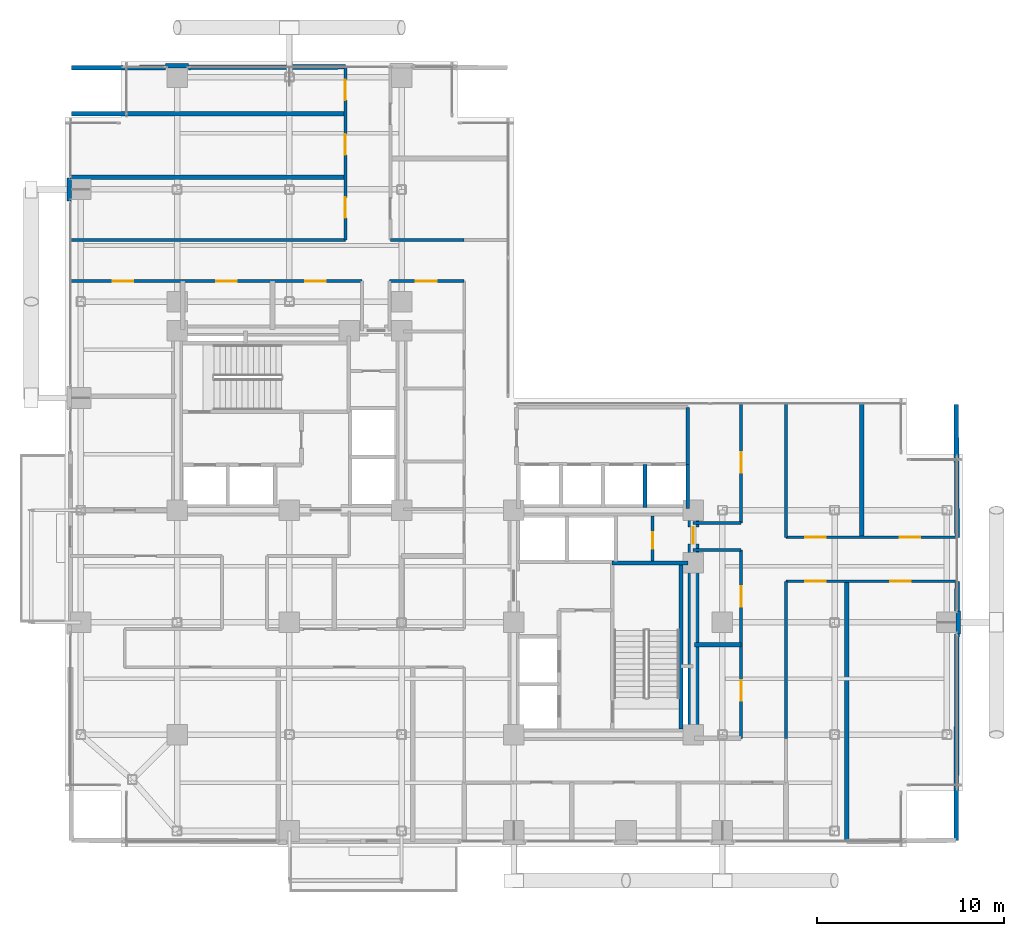
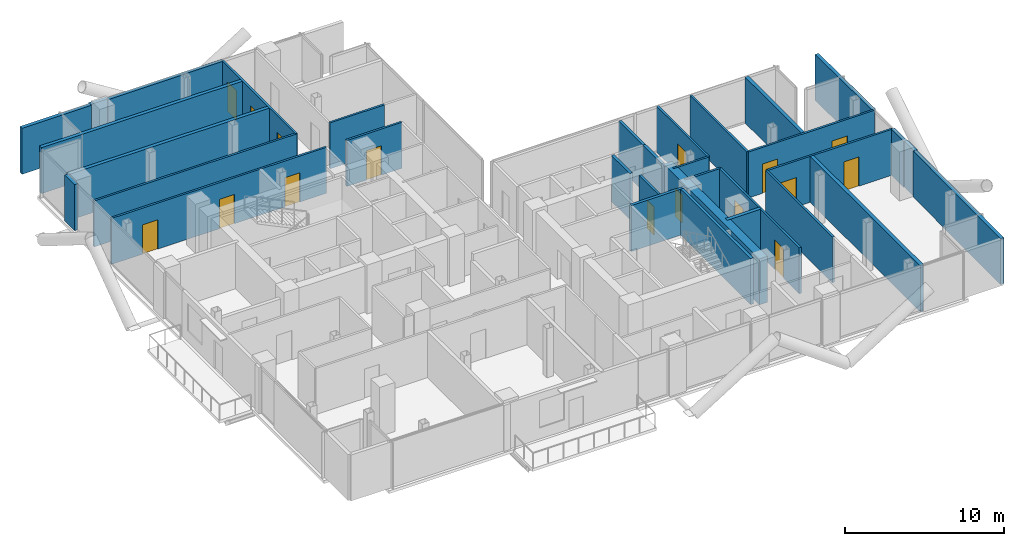
# One storey, part 21 of 24: 33 walls, 16 doors, 16 openings.
"""IFC4 building model written with IfcOpenShell, lengths in metres."""

from ifc_helpers import new_model, si_unit, direction, frame, frame_2d, origin, place, context, subcontext, project, spatial, rectangle, extrude, material, layer, layer_set, type_object, element, fill, save


model = new_model("IFC4")

# Units and contexts
model_context = context("Model", 3, precision=1e-05, world=origin(), true_north=direction((0.0, 1.0)))
body_context = subcontext(model_context, "Body", "Model", "MODEL_VIEW")
ifc_project = project(units=[si_unit("LENGTHUNIT", "METRE"), si_unit("AREAUNIT", "SQUARE_METRE"), si_unit("VOLUMEUNIT", "CUBIC_METRE"), si_unit("PLANEANGLEUNIT", "RADIAN"), si_unit("MASSUNIT", "GRAM", prefix="KILO"), si_unit("THERMODYNAMICTEMPERATUREUNIT", "KELVIN"), si_unit("POWERUNIT", "WATT")], contexts=[model_context])

# Site, building, storey
site_placement = place(None, origin())
site = spatial("IfcSite", under=ifc_project, at=site_placement, CompositionType="ELEMENT")
building_placement = place(site_placement, origin())
building = spatial("IfcBuilding", under=site, at=building_placement, Name="Svarakhadi Broadcast Tower", CompositionType="ELEMENT")
storey_placement = place(building_placement, frame((0.0, 0.0, 130.64990234375)))
storey = spatial("IfcBuildingStorey", under=building, at=storey_placement, Name="L31", CompositionType="ELEMENT", Elevation=130.64990234375)

# Walls
ifc_material_1 = material(Name="Double-Stud Acoustic Studio Partition STC-62", Category="gypsum")
ifc_layer_1 = layer(ifc_material_1, 0.25)
ifc_layer_set_1 = layer_set([ifc_layer_1], Name="Double-Stud Acoustic Studio Partition STC-62")
wall_type_1 = type_object("IfcWallType", Name="Wall_Acoust_250", PredefinedType="PARTITIONING", material=ifc_layer_set_1)
wall_1_placement = place(storey_placement, frame((33.64990234375, 10.800048828125, 0.0), z_axis=(0.0, 0.0, 1.0), x_axis=(1.0, 0.0, 0.0)))
element("IfcWall", 1, at=wall_1_placement, inside=storey, type_object=wall_type_1, Name="L31 Media Playout Monitoring Office Wall", PredefinedType="PARTITIONING", context=body_context, shape_type="SweptSolid", body=[
    extrude(rectangle(XDim=2.5, YDim=0.25, at=frame_2d((1.25, 0.0))), origin(), (0.0, 0.0, 1.0), 3.525146484375),
])
wall_2_placement = place(storey_placement, frame((41.800048828125, 0.300048828125, 0.0), z_axis=(0.0, 0.0, 1.0), x_axis=(0.0, 1.0, 0.0)))
element("IfcWall", 2, at=wall_2_placement, inside=storey, type_object=wall_type_1, Name="L31 Press Junket Interview Room Wall", PredefinedType="PARTITIONING", context=body_context, shape_type="SweptSolid", body=[
    extrude(rectangle(XDim=13.89990234375, YDim=0.25, at=frame_2d((6.949951171875, 0.0))), origin(), (0.0, 0.0, 1.0), 3.525146484375),
])
wall_3_placement = place(storey_placement, frame((47.64990234375, 0.35009765625, 0.0), z_axis=(0.0, 0.0, 1.0), x_axis=(0.003606251025, 0.999993497456, 0.0)))
element("IfcWall", 3, at=wall_3_placement, inside=storey, type_object=wall_type_1, Name="L31 Publicity Lounge Wall", PredefinedType="PARTITIONING", context=body_context, shape_type="SweptSolid", body=[
    extrude(rectangle(XDim=11.034912109375, YDim=0.25, at=frame_2d((5.517578125, 0.0))), origin(), (0.0, 0.0, 1.0), 3.525146484375),
])
wall_4_placement = place(storey_placement, frame((47.6943359375, 12.614990234375, 0.0), z_axis=(0.0, 0.0, 1.0), x_axis=(0.003542799701, 0.999993724265, 0.0)))
element("IfcWall", 4, at=wall_4_placement, inside=storey, type_object=wall_type_1, Name="L31 Publicity Lounge Wall", PredefinedType="PARTITIONING", context=body_context, shape_type="SweptSolid", body=[
    extrude(rectangle(XDim=1.5849609375, YDim=0.25, at=frame_2d((0.79248046875, 0.0))), origin(), (0.0, 0.0, 1.0), 3.525146484375),
])
wall_5_placement = place(storey_placement, frame((42.60009765625, 16.550048828125, 0.0), z_axis=(0.0, 0.0, 1.0), x_axis=(0.0, 1.0, 0.0)))
element("IfcWall", 5, at=wall_5_placement, inside=storey, type_object=wall_type_1, Name="L31 Broadcast Graphics Room Wall", PredefinedType="PARTITIONING", context=body_context, shape_type="SweptSolid", body=[
    extrude(rectangle(XDim=7.14990234375, YDim=0.25, at=frame_2d((3.574951171875, 0.0))), origin(), (0.0, 0.0, 1.0), 3.525146484375),
])
wall_6_placement = place(storey_placement, frame((47.699951171875, 16.550048828125, 0.0), z_axis=(0.0, 0.0, 1.0), x_axis=(-0.007049101019, 0.999975154779, 0.0)))
element("IfcWall", 6, at=wall_6_placement, inside=storey, type_object=wall_type_1, Name="L31 Graphics Workstation Office Wall", PredefinedType="PARTITIONING", context=body_context, shape_type="SweptSolid", body=[
    extrude(rectangle(XDim=7.10009765625, YDim=0.25, at=frame_2d((3.550048828125, 0.0))), origin(), (0.0, 0.0, 1.0), 3.525146484375),
])
wall_7_placement = place(storey_placement, frame((0.300048828125, 35.800048828125, 0.0), z_axis=(0.0, 0.0, 1.0), x_axis=(1.0, 0.0, 0.0)))
element("IfcWall", 7, at=wall_7_placement, inside=storey, type_object=wall_type_1, Name="L31 Distribution Deal Boardroom Wall", PredefinedType="PARTITIONING", context=body_context, shape_type="SweptSolid", body=[
    extrude(rectangle(XDim=14.699951171875, YDim=0.25, at=frame_2d((7.35009765625, 0.0))), origin(), (0.0, 0.0, 1.0), 3.525146484375),
])
wall_8_placement = place(storey_placement, frame((0.35009765625, 39.199951171875, 0.0), z_axis=(0.0, 0.0, 1.0), x_axis=(1.0, 0.0, 0.0)))
element("IfcWall", 8, at=wall_8_placement, inside=storey, type_object=wall_type_1, Name="L31 Festival Selection Room Wall", PredefinedType="PARTITIONING", context=body_context, shape_type="SweptSolid", body=[
    extrude(rectangle(XDim=14.64990234375, YDim=0.25, at=frame_2d((7.324951171875, 0.0))), origin(), (0.0, 0.0, 1.0), 3.525146484375),
])
wall_9_placement = place(storey_placement, frame((0.35009765625, 41.64990234375, 0.0), z_axis=(0.0, 0.0, 1.0), x_axis=(0.999994073761, 0.003442737683, 0.0)))
element("IfcWall", 9, at=wall_9_placement, inside=storey, type_object=wall_type_1, Name="L31 Publicist Office Wall", PredefinedType="PARTITIONING", context=body_context, shape_type="SweptSolid", body=[
    extrude(rectangle(XDim=5.034912109375, YDim=0.25, at=frame_2d((2.517578125, 0.0))), origin(), (0.0, 0.0, 1.0), 3.525146484375),
])
wall_10_placement = place(storey_placement, frame((6.614990234375, 41.67138671875, 0.0), z_axis=(0.0, 0.0, 1.0), x_axis=(0.999994197557, 0.003406589638, 0.0)))
element("IfcWall", 10, at=wall_10_placement, inside=storey, type_object=wall_type_1, Name="L31 Publicist Office Wall", PredefinedType="PARTITIONING", context=body_context, shape_type="SweptSolid", body=[
    extrude(rectangle(XDim=8.385009765625, YDim=0.25, at=frame_2d((4.1923828125, 0.0))), origin(), (0.0, 0.0, 1.0), 3.525146484375),
])
ifc_material_2 = material(Name="Concrete C40/50 (IS 456 M50)", Category="concrete")
ifc_layer_2 = layer(ifc_material_2, 0.239990234375)
ifc_layer_set_2 = layer_set([ifc_layer_2], Name="Concrete C40/50 (IS 456 M50)")
wall_type_2 = type_object("IfcWallType", Name="Wall_Ext_240", PredefinedType="SOLIDWALL", material=ifc_layer_set_2)
for number, where, z_axis, x_axis, name in (
    (11, (0.239990234375, 34.534912109375, 0.0), (0.0, 0.0, 1.0), (0.0, 1.0, 0.0), "L31 Perimeter Bronze Spandrel Closure Wall 03"),
    (12, (5.385009765625, 41.760009765625, 0.0), (0.0, 0.0, 1.0), (1.0, 0.0, 0.0), "L31 Perimeter Bronze Spandrel Closure Wall 04"),
    (13, (47.760009765625, 12.614990234375, 0.0), (0.0, 0.0, 1.0), (0.0, -1.0, 0.0), "L31 Perimeter Bronze Spandrel Closure Wall 06"),
):
    element("IfcWall", number, at=place(storey_placement, frame(where, z_axis=z_axis, x_axis=x_axis)), inside=storey, type_object=wall_type_2, Name=name, PredefinedType="SOLIDWALL", context=body_context, shape_type="SweptSolid", body=[
        extrude(rectangle(XDim=1.22998046875, YDim=0.239990234375, at=frame_2d((0.614990234375, 0.0))), origin(), (0.0, 0.0, 1.0), 3.525146484375),
    ])

# Wall, opening, door
ifc_material_3 = material(Name="Autoclaved Aerated Concrete Blockwork 150 mm", Category="masonry")
ifc_layer_3 = layer(ifc_material_3, 0.14990234375)
ifc_layer_set_3 = layer_set([ifc_layer_3], Name="Autoclaved Aerated Concrete Blockwork 150 mm")
wall_type_3 = type_object("IfcWallType", Name="Wall_Part_150", PredefinedType="PARTITIONING", material=ifc_layer_set_3)
wall_11_placement = place(storey_placement, frame((31.419921875, 15.280029296875, 0.0), z_axis=(0.0, 0.0, 1.0), x_axis=(0.0, 1.0, 0.0)))
wall_11 = element("IfcWall", 14, at=wall_11_placement, inside=storey, type_object=wall_type_3, Name="L31 East Core Dual Store Wall", PredefinedType="PARTITIONING", context=body_context, shape_type="SweptSolid", body=[
    extrude(rectangle(XDim=2.419921875, YDim=0.14990234375, at=frame_2d((1.2099609375, 0.0))), origin(), (0.0, 0.0, 1.0), 3.525146484375),
])
opening_1_placement = place(wall_11_placement, frame((0.64990234375, 0.0, 0.0)))
opening_1 = element("IfcOpeningElement", 15, at=opening_1_placement, cuts=wall_11, Name="Opening D-04", PredefinedType="OPENING", context=body_context, shape_type="SweptSolid", body=[
    extrude(rectangle(XDim=0.89990234375, YDim=2.14990234375, at=frame_2d((0.449951171875, 1.074951171875))), frame((0.0, 0.0849609375, 0.0), z_axis=(0.0, -1.0, 0.0), x_axis=(1.0, 0.0, 0.0)), (0.0, 0.0, 1.0), 0.169921875),
])
ifc_material_4 = material(Name="Galvanised Powder-Coated Fire-Rated Steel Leaf", Category="steel")
door_type_1 = type_object("IfcDoorType", Name="Door_Fire_D04", OperationType="SINGLE_SWING_RIGHT", PredefinedType="DOOR", material=ifc_material_4)
door_1_placement = place(opening_1_placement, origin())
door_1 = element("IfcDoor", 16, at=door_1_placement, inside=storey, type_object=door_type_1, Name="L31 East Core Store B Door", OperationType="SINGLE_SWING_RIGHT", OverallHeight=2.14990234375, OverallWidth=0.89990234375, PredefinedType="DOOR", context=body_context, shape_type="SweptSolid", body=[
    extrude(rectangle(XDim=0.89990234375, YDim=2.14990234375, at=frame_2d((0.449951171875, 1.074951171875))), frame((0.0, 0.02490234375, 0.0), z_axis=(0.0, -1.0, 0.0), x_axis=(1.0, 0.0, 0.0)), (0.0, 0.0, 1.0), 0.050048828125),
])
fill(opening_1, door_1)

# Wall, openings, doors
wall_12_placement = place(storey_placement, frame((36.14990234375, 5.800048828125, 0.0), z_axis=(0.0, 0.0, 1.0), x_axis=(0.0, 1.0, 0.0)))
wall_12 = element("IfcWall", 17, at=wall_12_placement, inside=storey, type_object=wall_type_3, Name="L31 Zone 2/3 Corridor Wall", PredefinedType="PARTITIONING", context=body_context, shape_type="SweptSolid", body=[
    extrude(rectangle(XDim=10.079833984375, YDim=0.14990234375, at=frame_2d((5.0400390625, 0.0))), origin(), (0.0, 0.0, 1.0), 3.525146484375),
])
opening_2_placement = place(wall_12_placement, frame((2.0, 0.0, 0.0)))
opening_2 = element("IfcOpeningElement", 18, at=opening_2_placement, cuts=wall_12, Name="Opening D-11", PredefinedType="OPENING", context=body_context, shape_type="SweptSolid", body=[
    extrude(rectangle(XDim=1.10009765625, YDim=2.25, at=frame_2d((0.550048828125, 1.125))), frame((0.0, 0.0849609375, 0.0), z_axis=(0.0, -1.0, 0.0), x_axis=(1.0, 0.0, 0.0)), (0.0, 0.0, 1.0), 0.169921875),
])
opening_3_placement = place(wall_12_placement, frame((7.0400390625, 0.0, 0.0)))
opening_3 = element("IfcOpeningElement", 19, at=opening_3_placement, cuts=wall_12, Name="Opening D-11", PredefinedType="OPENING", context=body_context, shape_type="SweptSolid", body=[
    extrude(rectangle(XDim=1.10009765625, YDim=2.25, at=frame_2d((0.550048828125, 1.125))), frame((0.0, 0.0849609375, 0.0), z_axis=(0.0, -1.0, 0.0), x_axis=(1.0, 0.0, 0.0)), (0.0, 0.0, 1.0), 0.169921875),
])
ifc_material_5 = material(Name="Solid-Core Teak Veneer Acoustic Timber Leaf", Category="wood")
door_type_2 = type_object("IfcDoorType", Name="Door_Acoust_D11", OperationType="SINGLE_SWING_RIGHT", PredefinedType="DOOR", material=ifc_material_5)
door_2_placement = place(opening_2_placement, origin())
door_2 = element("IfcDoor", 20, at=door_2_placement, inside=storey, type_object=door_type_2, Name="L31 Media Playout Monitoring Office Door", OperationType="SINGLE_SWING_RIGHT", OverallHeight=2.25, OverallWidth=1.10009765625, PredefinedType="DOOR", context=body_context, shape_type="SweptSolid", body=[
    extrude(rectangle(XDim=1.10009765625, YDim=2.25, at=frame_2d((0.550048828125, 1.125))), frame((0.0, 0.02490234375, 0.0), z_axis=(0.0, -1.0, 0.0), x_axis=(1.0, 0.0, 0.0)), (0.0, 0.0, 1.0), 0.050048828125),
])
fill(opening_2, door_2)
door_3_placement = place(opening_3_placement, origin())
door_3 = element("IfcDoor", 21, at=door_3_placement, inside=storey, type_object=door_type_2, Name="L31 Broadcast Ingest Studio Door", OperationType="SINGLE_SWING_RIGHT", OverallHeight=2.25, OverallWidth=1.10009765625, PredefinedType="DOOR", context=body_context, shape_type="SweptSolid", body=[
    extrude(rectangle(XDim=1.10009765625, YDim=2.25, at=frame_2d((0.550048828125, 1.125))), frame((0.0, 0.02490234375, 0.0), z_axis=(0.0, -1.0, 0.0), x_axis=(1.0, 0.0, 0.0)), (0.0, 0.0, 1.0), 0.050048828125),
])
fill(opening_3, door_3)

# Walls
for number, where, z_axis, x_axis, name in (
    (22, (36.14990234375, 15.8798828125, 0.0), (0.0, 0.0, 1.0), (-1.0, 0.0, 0.0), "L31 Zone 2/3 Corridor Wall"),
    (23, (33.580078125, 17.320068359375, 0.0), (0.0, 0.0, 1.0), (1.0, 0.0, 0.0), "L31 Zone 2/3 Corridor Wall"),
):
    element("IfcWall", number, at=place(storey_placement, frame(where, z_axis=z_axis, x_axis=x_axis)), inside=storey, type_object=wall_type_3, Name=name, PredefinedType="PARTITIONING", context=body_context, shape_type="SweptSolid", body=[
        extrude(rectangle(XDim=2.56982421875, YDim=0.14990234375, at=frame_2d((1.284912109375, 0.0))), origin(), (0.0, 0.0, 1.0), 3.525146484375),
    ])

# Wall, opening, door
wall_13_placement = place(storey_placement, frame((36.14990234375, 17.320068359375, 0.0), z_axis=(0.0, 0.0, 1.0), x_axis=(0.0, 1.0, 0.0)))
wall_13 = element("IfcWall", 24, at=wall_13_placement, inside=storey, type_object=wall_type_3, Name="L31 Zone 2/3 Corridor Wall", PredefinedType="PARTITIONING", context=body_context, shape_type="SweptSolid", body=[
    extrude(rectangle(XDim=6.3798828125, YDim=0.14990234375, at=frame_2d((3.18994140625, 0.0))), origin(), (0.0, 0.0, 1.0), 3.525146484375),
])
opening_4_placement = place(wall_13_placement, frame((2.679931640625, 0.0, 0.0)))
opening_4 = element("IfcOpeningElement", 25, at=opening_4_placement, cuts=wall_13, Name="Opening D-11", PredefinedType="OPENING", context=body_context, shape_type="SweptSolid", body=[
    extrude(rectangle(XDim=1.10009765625, YDim=2.25, at=frame_2d((0.550048828125, 1.125))), frame((0.0, 0.0849609375, 0.0), z_axis=(0.0, -1.0, 0.0), x_axis=(1.0, 0.0, 0.0)), (0.0, 0.0, 1.0), 0.169921875),
])
door_4_placement = place(opening_4_placement, origin())
door_4 = element("IfcDoor", 26, at=door_4_placement, inside=storey, type_object=door_type_2, Name="L31 Post-Production Coordination Office Door", OperationType="SINGLE_SWING_RIGHT", OverallHeight=2.25, OverallWidth=1.10009765625, PredefinedType="DOOR", context=body_context, shape_type="SweptSolid", body=[
    extrude(rectangle(XDim=1.10009765625, YDim=2.25, at=frame_2d((0.550048828125, 1.125))), frame((0.0, 0.02490234375, 0.0), z_axis=(0.0, -1.0, 0.0), x_axis=(1.0, 0.0, 0.0)), (0.0, 0.0, 1.0), 0.050048828125),
])
fill(opening_4, door_4)

# Wall
wall_14_placement = place(storey_placement, frame((38.550048828125, 23.699951171875, 0.0), z_axis=(0.0, 0.0, 1.0), x_axis=(0.0, -1.0, 0.0)))
element("IfcWall", 27, at=wall_14_placement, inside=storey, type_object=wall_type_3, Name="L31 Zone 2/3 Corridor Wall", PredefinedType="PARTITIONING", context=body_context, shape_type="SweptSolid", body=[
    extrude(rectangle(XDim=7.14990234375, YDim=0.14990234375, at=frame_2d((3.574951171875, 0.0))), origin(), (0.0, 0.0, 1.0), 3.525146484375),
])

# Wall, openings, doors
wall_15_placement = place(storey_placement, frame((38.550048828125, 16.550048828125, 0.0), z_axis=(0.0, 0.0, 1.0), x_axis=(1.0, 0.0, 0.0)))
wall_15 = element("IfcWall", 28, at=wall_15_placement, inside=storey, type_object=wall_type_3, Name="L31 Zone 2/3 Corridor Wall", PredefinedType="PARTITIONING", context=body_context, shape_type="SweptSolid", body=[
    extrude(rectangle(XDim=9.14990234375, YDim=0.14990234375, at=frame_2d((4.574951171875, 0.0))), origin(), (0.0, 0.0, 1.0), 3.525146484375),
])
opening_5_placement = place(wall_15_placement, frame((1.030029296875, 0.0, 0.0)))
opening_5 = element("IfcOpeningElement", 29, at=opening_5_placement, cuts=wall_15, Name="Opening D-10", PredefinedType="OPENING", context=body_context, shape_type="SweptSolid", body=[
    extrude(rectangle(XDim=1.10009765625, YDim=2.25, at=frame_2d((0.550048828125, 1.125))), frame((0.0, 0.0849609375, 0.0), z_axis=(0.0, -1.0, 0.0), x_axis=(1.0, 0.0, 0.0)), (0.0, 0.0, 1.0), 0.169921875),
])
opening_6_placement = place(wall_15_placement, frame((6.074951171875, 0.0, 0.0)))
opening_6 = element("IfcOpeningElement", 30, at=opening_6_placement, cuts=wall_15, Name="Opening D-11", PredefinedType="OPENING", context=body_context, shape_type="SweptSolid", body=[
    extrude(rectangle(XDim=1.10009765625, YDim=2.25, at=frame_2d((0.550048828125, 1.125))), frame((0.0, 0.0849609375, 0.0), z_axis=(0.0, -1.0, 0.0), x_axis=(1.0, 0.0, 0.0)), (0.0, 0.0, 1.0), 0.169921875),
])
door_type_3 = type_object("IfcDoorType", Name="Door_Acoust_D10", OperationType="SINGLE_SWING_LEFT", PredefinedType="DOOR", material=ifc_material_5)
door_5_placement = place(opening_5_placement, origin())
door_5 = element("IfcDoor", 31, at=door_5_placement, inside=storey, type_object=door_type_3, Name="L31 Broadcast Graphics Room Door", OperationType="SINGLE_SWING_LEFT", OverallHeight=2.25, OverallWidth=1.10009765625, PredefinedType="DOOR", context=body_context, shape_type="SweptSolid", body=[
    extrude(rectangle(XDim=1.10009765625, YDim=2.25, at=frame_2d((0.550048828125, 1.125))), frame((0.0, 0.02490234375, 0.0), z_axis=(0.0, -1.0, 0.0), x_axis=(1.0, 0.0, 0.0)), (0.0, 0.0, 1.0), 0.050048828125),
])
fill(opening_5, door_5)
door_6_placement = place(opening_6_placement, origin())
door_6 = element("IfcDoor", 32, at=door_6_placement, inside=storey, type_object=door_type_2, Name="L31 Graphics Workstation Office Door", OperationType="SINGLE_SWING_RIGHT", OverallHeight=2.25, OverallWidth=1.10009765625, PredefinedType="DOOR", context=body_context, shape_type="SweptSolid", body=[
    extrude(rectangle(XDim=1.10009765625, YDim=2.25, at=frame_2d((0.550048828125, 1.125))), frame((0.0, 0.02490234375, 0.0), z_axis=(0.0, -1.0, 0.0), x_axis=(1.0, 0.0, 0.0)), (0.0, 0.0, 1.0), 0.050048828125),
])
fill(opening_6, door_6)

wall_16_placement = place(storey_placement, frame((47.699951171875, 14.199951171875, 0.0), z_axis=(0.0, 0.0, 1.0), x_axis=(-1.0, 0.0, 0.0)))
wall_16 = element("IfcWall", 33, at=wall_16_placement, inside=storey, type_object=wall_type_3, Name="L31 Zone 2/3 Corridor Wall", PredefinedType="PARTITIONING", context=body_context, shape_type="SweptSolid", body=[
    extrude(rectangle(XDim=9.14990234375, YDim=0.14990234375, at=frame_2d((4.574951171875, 0.0))), origin(), (0.0, 0.0, 1.0), 3.525146484375),
])
opening_7_placement = place(wall_16_placement, frame((7.02490234375, 0.0, 0.0)))
opening_7 = element("IfcOpeningElement", 34, at=opening_7_placement, cuts=wall_16, Name="Opening D-10", PredefinedType="OPENING", context=body_context, shape_type="SweptSolid", body=[
    extrude(rectangle(XDim=1.10009765625, YDim=2.25, at=frame_2d((0.550048828125, 1.125))), frame((0.0, 0.0849609375, 0.0), z_axis=(0.0, -1.0, 0.0), x_axis=(1.0, 0.0, 0.0)), (0.0, 0.0, 1.0), 0.169921875),
])
opening_8_placement = place(wall_16_placement, frame((2.47509765625, 0.0, 0.0)))
opening_8 = element("IfcOpeningElement", 35, at=opening_8_placement, cuts=wall_16, Name="Opening D-11", PredefinedType="OPENING", context=body_context, shape_type="SweptSolid", body=[
    extrude(rectangle(XDim=1.10009765625, YDim=2.25, at=frame_2d((0.550048828125, 1.125))), frame((0.0, 0.0849609375, 0.0), z_axis=(0.0, -1.0, 0.0), x_axis=(1.0, 0.0, 0.0)), (0.0, 0.0, 1.0), 0.169921875),
])
door_7_placement = place(opening_7_placement, origin())
door_7 = element("IfcDoor", 36, at=door_7_placement, inside=storey, type_object=door_type_3, Name="L31 Press Junket Interview Room Door", OperationType="SINGLE_SWING_LEFT", OverallHeight=2.25, OverallWidth=1.10009765625, PredefinedType="DOOR", context=body_context, shape_type="SweptSolid", body=[
    extrude(rectangle(XDim=1.10009765625, YDim=2.25, at=frame_2d((0.550048828125, 1.125))), frame((0.0, 0.02490234375, 0.0), z_axis=(0.0, -1.0, 0.0), x_axis=(1.0, 0.0, 0.0)), (0.0, 0.0, 1.0), 0.050048828125),
])
fill(opening_7, door_7)
door_8_placement = place(opening_8_placement, origin())
door_8 = element("IfcDoor", 37, at=door_8_placement, inside=storey, type_object=door_type_2, Name="L31 Publicity Lounge Door", OperationType="SINGLE_SWING_RIGHT", OverallHeight=2.25, OverallWidth=1.10009765625, PredefinedType="DOOR", context=body_context, shape_type="SweptSolid", body=[
    extrude(rectangle(XDim=1.10009765625, YDim=2.25, at=frame_2d((0.550048828125, 1.125))), frame((0.0, 0.02490234375, 0.0), z_axis=(0.0, -1.0, 0.0), x_axis=(1.0, 0.0, 0.0)), (0.0, 0.0, 1.0), 0.050048828125),
])
fill(opening_8, door_8)

# Wall
wall_17_placement = place(storey_placement, frame((38.550048828125, 14.199951171875, 0.0), z_axis=(0.0, 0.0, 1.0), x_axis=(0.0, -1.0, 0.0)))
element("IfcWall", 38, at=wall_17_placement, inside=storey, type_object=wall_type_3, Name="L31 Zone 2/3 Corridor Wall", PredefinedType="PARTITIONING", context=body_context, shape_type="SweptSolid", body=[
    extrude(rectangle(XDim=8.39990234375, YDim=0.14990234375, at=frame_2d((4.199951171875, 0.0))), origin(), (0.0, 0.0, 1.0), 3.525146484375),
])

# Wall, opening, door
wall_18_placement = place(storey_placement, frame((21.35009765625, 30.25, 0.0), z_axis=(0.0, 0.0, 1.0), x_axis=(-1.0, 0.0, 0.0)))
wall_18 = element("IfcWall", 39, at=wall_18_placement, inside=storey, type_object=wall_type_3, Name="L31 Zone 2/3 Corridor Wall", PredefinedType="PARTITIONING", context=body_context, shape_type="SweptSolid", body=[
    extrude(rectangle(XDim=4.0, YDim=0.14990234375, at=frame_2d((2.0, 0.0))), origin(), (0.0, 0.0, 1.0), 3.525146484375),
])
opening_9_placement = place(wall_18_placement, frame((1.47998046875, 0.0, 0.0)))
opening_9 = element("IfcOpeningElement", 40, at=opening_9_placement, cuts=wall_18, Name="Opening D-10", PredefinedType="OPENING", context=body_context, shape_type="SweptSolid", body=[
    extrude(rectangle(XDim=1.10009765625, YDim=2.25, at=frame_2d((0.550048828125, 1.125))), frame((0.0, 0.0849609375, 0.0), z_axis=(0.0, -1.0, 0.0), x_axis=(1.0, 0.0, 0.0)), (0.0, 0.0, 1.0), 0.169921875),
])
door_9_placement = place(opening_9_placement, origin())
door_9 = element("IfcDoor", 41, at=door_9_placement, inside=storey, type_object=door_type_3, Name="L31 Media Continuity Study Door", OperationType="SINGLE_SWING_LEFT", OverallHeight=2.25, OverallWidth=1.10009765625, PredefinedType="DOOR", context=body_context, shape_type="SweptSolid", body=[
    extrude(rectangle(XDim=1.10009765625, YDim=2.25, at=frame_2d((0.550048828125, 1.125))), frame((0.0, 0.02490234375, 0.0), z_axis=(0.0, -1.0, 0.0), x_axis=(1.0, 0.0, 0.0)), (0.0, 0.0, 1.0), 0.050048828125),
])
fill(opening_9, door_9)

# Wall, openings, doors
wall_19_placement = place(storey_placement, frame((15.8798828125, 30.25, 0.0), z_axis=(0.0, 0.0, 1.0), x_axis=(-1.0, 0.0, 0.0)))
wall_19 = element("IfcWall", 42, at=wall_19_placement, inside=storey, type_object=wall_type_3, Name="L31 Zone 2/3 Corridor Wall", PredefinedType="PARTITIONING", context=body_context, shape_type="SweptSolid", body=[
    extrude(rectangle(XDim=15.579833984375, YDim=0.14990234375, at=frame_2d((7.7900390625, 0.0))), origin(), (0.0, 0.0, 1.0), 3.525146484375),
])
opening_10_placement = place(wall_19_placement, frame((12.22998046875, 0.0, 0.0)))
opening_10 = element("IfcOpeningElement", 43, at=opening_10_placement, cuts=wall_19, Name="Opening D-11", PredefinedType="OPENING", context=body_context, shape_type="SweptSolid", body=[
    extrude(rectangle(XDim=1.10009765625, YDim=2.25, at=frame_2d((0.550048828125, 1.125))), frame((0.0, 0.0849609375, 0.0), z_axis=(0.0, -1.0, 0.0), x_axis=(1.0, 0.0, 0.0)), (0.0, 0.0, 1.0), 0.169921875),
])
opening_11_placement = place(wall_19_placement, frame((6.679931640625, 0.0, 0.0)))
opening_11 = element("IfcOpeningElement", 44, at=opening_11_placement, cuts=wall_19, Name="Opening D-10", PredefinedType="OPENING", context=body_context, shape_type="SweptSolid", body=[
    extrude(rectangle(XDim=1.10009765625, YDim=2.25, at=frame_2d((0.550048828125, 1.125))), frame((0.0, 0.0849609375, 0.0), z_axis=(0.0, -1.0, 0.0), x_axis=(1.0, 0.0, 0.0)), (0.0, 0.0, 1.0), 0.169921875),
])
opening_12_placement = place(wall_19_placement, frame((1.929931640625, 0.0, 0.0)))
opening_12 = element("IfcOpeningElement", 45, at=opening_12_placement, cuts=wall_19, Name="Opening D-10", PredefinedType="OPENING", context=body_context, shape_type="SweptSolid", body=[
    extrude(rectangle(XDim=1.10009765625, YDim=2.25, at=frame_2d((0.550048828125, 1.125))), frame((0.0, 0.0849609375, 0.0), z_axis=(0.0, -1.0, 0.0), x_axis=(1.0, 0.0, 0.0)), (0.0, 0.0, 1.0), 0.169921875),
])
door_10_placement = place(opening_11_placement, origin())
door_10 = element("IfcDoor", 46, at=door_10_placement, inside=storey, type_object=door_type_3, Name="L31 Acoustic Dubbing Booth Door", OperationType="SINGLE_SWING_LEFT", OverallHeight=2.25, OverallWidth=1.10009765625, PredefinedType="DOOR", context=body_context, shape_type="SweptSolid", body=[
    extrude(rectangle(XDim=1.10009765625, YDim=2.25, at=frame_2d((0.550048828125, 1.125))), frame((0.0, 0.02490234375, 0.0), z_axis=(0.0, -1.0, 0.0), x_axis=(1.0, 0.0, 0.0)), (0.0, 0.0, 1.0), 0.050048828125),
])
fill(opening_11, door_10)
door_11_placement = place(opening_12_placement, origin())
door_11 = element("IfcDoor", 47, at=door_11_placement, inside=storey, type_object=door_type_3, Name="L31 Editorial Color Grading Pod Door", OperationType="SINGLE_SWING_LEFT", OverallHeight=2.25, OverallWidth=1.10009765625, PredefinedType="DOOR", context=body_context, shape_type="SweptSolid", body=[
    extrude(rectangle(XDim=1.10009765625, YDim=2.25, at=frame_2d((0.550048828125, 1.125))), frame((0.0, 0.02490234375, 0.0), z_axis=(0.0, -1.0, 0.0), x_axis=(1.0, 0.0, 0.0)), (0.0, 0.0, 1.0), 0.050048828125),
])
fill(opening_12, door_11)
door_12_placement = place(opening_10_placement, origin())
door_12 = element("IfcDoor", 48, at=door_12_placement, inside=storey, type_object=door_type_2, Name="L31 Sunset Horizon Screening Room Door", OperationType="SINGLE_SWING_RIGHT", OverallHeight=2.25, OverallWidth=1.10009765625, PredefinedType="DOOR", context=body_context, shape_type="SweptSolid", body=[
    extrude(rectangle(XDim=1.10009765625, YDim=2.25, at=frame_2d((0.550048828125, 1.125))), frame((0.0, 0.02490234375, 0.0), z_axis=(0.0, -1.0, 0.0), x_axis=(1.0, 0.0, 0.0)), (0.0, 0.0, 1.0), 0.050048828125),
])
fill(opening_10, door_12)

# Wall
wall_20_placement = place(storey_placement, frame((0.300048828125, 32.449951171875, 0.0), z_axis=(0.0, 0.0, 1.0), x_axis=(1.0, 0.0, 0.0)))
element("IfcWall", 49, at=wall_20_placement, inside=storey, type_object=wall_type_3, Name="L31 Zone 2/3 Corridor Wall", PredefinedType="PARTITIONING", context=body_context, shape_type="SweptSolid", body=[
    extrude(rectangle(XDim=14.699951171875, YDim=0.14990234375, at=frame_2d((7.35009765625, 0.0))), origin(), (0.0, 0.0, 1.0), 3.525146484375),
])

# Wall, openings, doors
wall_21_placement = place(storey_placement, frame((15.0, 32.449951171875, 0.0), z_axis=(0.0, 0.0, 1.0), x_axis=(0.0, 1.0, 0.0)))
wall_21 = element("IfcWall", 50, at=wall_21_placement, inside=storey, type_object=wall_type_3, Name="L31 Zone 2/3 Corridor Wall", PredefinedType="PARTITIONING", context=body_context, shape_type="SweptSolid", body=[
    extrude(rectangle(XDim=9.25, YDim=0.14990234375, at=frame_2d((4.625, 0.0))), origin(), (0.0, 0.0, 1.0), 3.525146484375),
])
opening_13_placement = place(wall_21_placement, frame((1.175048828125, 0.0, 0.0)))
opening_13 = element("IfcOpeningElement", 51, at=opening_13_placement, cuts=wall_21, Name="Opening D-10", PredefinedType="OPENING", context=body_context, shape_type="SweptSolid", body=[
    extrude(rectangle(XDim=1.10009765625, YDim=2.25, at=frame_2d((0.550048828125, 1.125))), frame((0.0, 0.0849609375, 0.0), z_axis=(0.0, -1.0, 0.0), x_axis=(1.0, 0.0, 0.0)), (0.0, 0.0, 1.0), 0.169921875),
])
opening_14_placement = place(wall_21_placement, frame((4.550048828125, 0.0, 0.0)))
opening_14 = element("IfcOpeningElement", 52, at=opening_14_placement, cuts=wall_21, Name="Opening D-11", PredefinedType="OPENING", context=body_context, shape_type="SweptSolid", body=[
    extrude(rectangle(XDim=1.10009765625, YDim=2.25, at=frame_2d((0.550048828125, 1.125))), frame((0.0, 0.0849609375, 0.0), z_axis=(0.0, -1.0, 0.0), x_axis=(1.0, 0.0, 0.0)), (0.0, 0.0, 1.0), 0.169921875),
])
opening_15_placement = place(wall_21_placement, frame((7.47509765625, 0.0, 0.0)))
opening_15 = element("IfcOpeningElement", 53, at=opening_15_placement, cuts=wall_21, Name="Opening D-10", PredefinedType="OPENING", context=body_context, shape_type="SweptSolid", body=[
    extrude(rectangle(XDim=1.10009765625, YDim=2.25, at=frame_2d((0.550048828125, 1.125))), frame((0.0, 0.0849609375, 0.0), z_axis=(0.0, -1.0, 0.0), x_axis=(1.0, 0.0, 0.0)), (0.0, 0.0, 1.0), 0.169921875),
])
door_13_placement = place(opening_13_placement, origin())
door_13 = element("IfcDoor", 54, at=door_13_placement, inside=storey, type_object=door_type_3, Name="L31 Distribution Deal Boardroom Door", OperationType="SINGLE_SWING_LEFT", OverallHeight=2.25, OverallWidth=1.10009765625, PredefinedType="DOOR", context=body_context, shape_type="SweptSolid", body=[
    extrude(rectangle(XDim=1.10009765625, YDim=2.25, at=frame_2d((0.550048828125, 1.125))), frame((0.0, 0.02490234375, 0.0), z_axis=(0.0, -1.0, 0.0), x_axis=(1.0, 0.0, 0.0)), (0.0, 0.0, 1.0), 0.050048828125),
])
fill(opening_13, door_13)
door_14_placement = place(opening_15_placement, origin())
door_14 = element("IfcDoor", 55, at=door_14_placement, inside=storey, type_object=door_type_3, Name="L31 Publicist Office Door", OperationType="SINGLE_SWING_LEFT", OverallHeight=2.25, OverallWidth=1.10009765625, PredefinedType="DOOR", context=body_context, shape_type="SweptSolid", body=[
    extrude(rectangle(XDim=1.10009765625, YDim=2.25, at=frame_2d((0.550048828125, 1.125))), frame((0.0, 0.02490234375, 0.0), z_axis=(0.0, -1.0, 0.0), x_axis=(1.0, 0.0, 0.0)), (0.0, 0.0, 1.0), 0.050048828125),
])
fill(opening_15, door_14)
door_15_placement = place(opening_14_placement, origin())
door_15 = element("IfcDoor", 56, at=door_15_placement, inside=storey, type_object=door_type_2, Name="L31 Festival Selection Room Door", OperationType="SINGLE_SWING_RIGHT", OverallHeight=2.25, OverallWidth=1.10009765625, PredefinedType="DOOR", context=body_context, shape_type="SweptSolid", body=[
    extrude(rectangle(XDim=1.10009765625, YDim=2.25, at=frame_2d((0.550048828125, 1.125))), frame((0.0, 0.02490234375, 0.0), z_axis=(0.0, -1.0, 0.0), x_axis=(1.0, 0.0, 0.0)), (0.0, 0.0, 1.0), 0.050048828125),
])
fill(opening_14, door_15)

# Walls
wall_22_placement = place(storey_placement, frame((17.39990234375, 32.449951171875, 0.0), z_axis=(0.0, 0.0, 1.0), x_axis=(1.0, 0.0, 0.0)))
element("IfcWall", 57, at=wall_22_placement, inside=storey, type_object=wall_type_3, Name="L31 Zone 2/3 Corridor Wall", PredefinedType="PARTITIONING", context=body_context, shape_type="SweptSolid", body=[
    extrude(rectangle(XDim=3.9501953125, YDim=0.14990234375, at=frame_2d((1.97509765625, 0.0))), origin(), (0.0, 0.0, 1.0), 3.525146484375),
])
ifc_material_6 = material(Name="Concrete C50/60 (IS 456 M60)", Category="concrete")
ifc_layer_4 = layer(ifc_material_6, 0.199951171875)
ifc_layer_set_4 = layer_set([ifc_layer_4], Name="Concrete C50/60 (IS 456 M60)")
wall_type_4 = type_object("IfcWallType", Name="Wall_Shear_200", PredefinedType="SHEAR", material=ifc_layer_set_4)
wall_23_placement = place(storey_placement, frame((32.93994140625, 6.300048828125, 0.0), z_axis=(0.0, 0.0, 1.0), x_axis=(0.0, 1.0, 0.0)))
element("IfcWall", 58, at=wall_23_placement, inside=storey, type_object=wall_type_4, Name="L31 Stair ST-02 East RC Shaft Wall", PredefinedType="SHEAR", context=body_context, shape_type="SweptSolid", body=[
    extrude(rectangle(XDim=8.8798828125, YDim=0.199951171875, at=frame_2d((4.43994140625, 0.0))), origin(), (0.0, 0.0, 1.0), 3.525146484375),
])
wall_24_placement = place(storey_placement, frame((29.260009765625, 15.179931640625, 0.0), z_axis=(0.0, 0.0, 1.0), x_axis=(1.0, 0.0, 0.0)))
element("IfcWall", 59, at=wall_24_placement, inside=storey, type_object=wall_type_4, Name="L31 Stair ST-02 North RC Shaft Wall", PredefinedType="SHEAR", context=body_context, shape_type="SweptSolid", body=[
    extrude(rectangle(XDim=4.0400390625, YDim=0.199951171875, at=frame_2d((2.02001953125, 0.0))), origin(), (0.0, 0.0, 1.0), 3.525146484375),
])
wall_25_placement = place(storey_placement, frame((33.300048828125, 18.10009765625, 0.0), z_axis=(0.0, 0.0, 1.0), x_axis=(0.0, 1.0, 0.0)))
element("IfcWall", 60, at=wall_25_placement, inside=storey, type_object=wall_type_4, Name="L31 Bank B East Shaft Wall", PredefinedType="SHEAR", context=body_context, shape_type="SweptSolid", body=[
    extrude(rectangle(XDim=2.349853515625, YDim=0.199951171875, at=frame_2d((1.1748046875, 0.0))), origin(), (0.0, 0.0, 1.0), 3.525146484375),
])
wall_26_placement = place(storey_placement, frame((31.02001953125, 18.14990234375, 0.0), z_axis=(0.0, 0.0, 1.0), x_axis=(0.0, 1.0, 0.0)))
element("IfcWall", 61, at=wall_26_placement, inside=storey, type_object=wall_type_4, Name="L31 Bank B Divider", PredefinedType="SHEAR", context=body_context, shape_type="SweptSolid", body=[
    extrude(rectangle(XDim=2.300048828125, YDim=0.199951171875, at=frame_2d((1.14990234375, 0.0))), origin(), (0.0, 0.0, 1.0), 3.525146484375),
])
wall_27_placement = place(storey_placement, frame((33.300048828125, 20.449951171875, 0.0), z_axis=(0.0, 0.0, 1.0), x_axis=(0.0, 1.0, 0.0)))
element("IfcWall", 62, at=wall_27_placement, inside=storey, type_object=wall_type_4, Name="L31 Bank B Lift Hall East Wall", PredefinedType="SHEAR", context=body_context, shape_type="SweptSolid", body=[
    extrude(rectangle(XDim=3.050048828125, YDim=0.199951171875, at=frame_2d((1.52490234375, 0.0))), origin(), (0.0, 0.0, 1.0), 3.525146484375),
])

# Wall, opening, door
ifc_material_7 = material(Name="Concrete C60/75 (IS 456 M70)", Category="concrete")
ifc_layer_5 = layer(ifc_material_7, 0.60009765625)
ifc_layer_set_5 = layer_set([ifc_layer_5], Name="Concrete C60/75 (IS 456 M70)")
wall_type_5 = type_object("IfcWallType", Name="Wall_Shear_600", PredefinedType="SHEAR", material=ifc_layer_set_5)
wall_28_placement = place(storey_placement, frame((33.60009765625, 6.0, 0.0), z_axis=(0.0, 0.0, 1.0), x_axis=(0.0, 1.0, 0.0)))
wall_28 = element("IfcWall", 63, at=wall_28_placement, inside=storey, type_object=wall_type_5, Name="L31 East Core East Shear Wall", PredefinedType="SHEAR", context=body_context, shape_type="SweptSolid", body=[
    extrude(rectangle(XDim=12.0, YDim=0.60009765625, at=frame_2d((6.0, 0.0))), origin(), (0.0, 0.0, 1.0), 3.525146484375),
])
opening_16_placement = place(wall_28_placement, frame((10.199951171875, 0.0, 0.0)))
opening_16 = element("IfcOpeningElement", 64, at=opening_16_placement, cuts=wall_28, Name="Opening D-04", PredefinedType="OPENING", context=body_context, shape_type="SweptSolid", body=[
    extrude(rectangle(XDim=0.89990234375, YDim=2.14990234375, at=frame_2d((0.449951171875, 1.074951171875))), frame((0.0, 0.31005859375, 0.0), z_axis=(0.0, -1.0, 0.0), x_axis=(1.0, 0.0, 0.0)), (0.0, 0.0, 1.0), 0.6201171875),
])
door_16_placement = place(opening_16_placement, origin())
door_16 = element("IfcDoor", 65, at=door_16_placement, inside=storey, type_object=door_type_1, Name="L31 East Core Store A Door", OperationType="SINGLE_SWING_RIGHT", OverallHeight=2.14990234375, OverallWidth=0.89990234375, PredefinedType="DOOR", context=body_context, shape_type="SweptSolid", body=[
    extrude(rectangle(XDim=0.89990234375, YDim=2.14990234375, at=frame_2d((0.449951171875, 1.074951171875))), frame((0.0, 0.02490234375, 0.0), z_axis=(0.0, -1.0, 0.0), x_axis=(1.0, 0.0, 0.0)), (0.0, 0.0, 1.0), 0.050048828125),
])
fill(opening_16, door_16)

save(model, "model.ifc")
